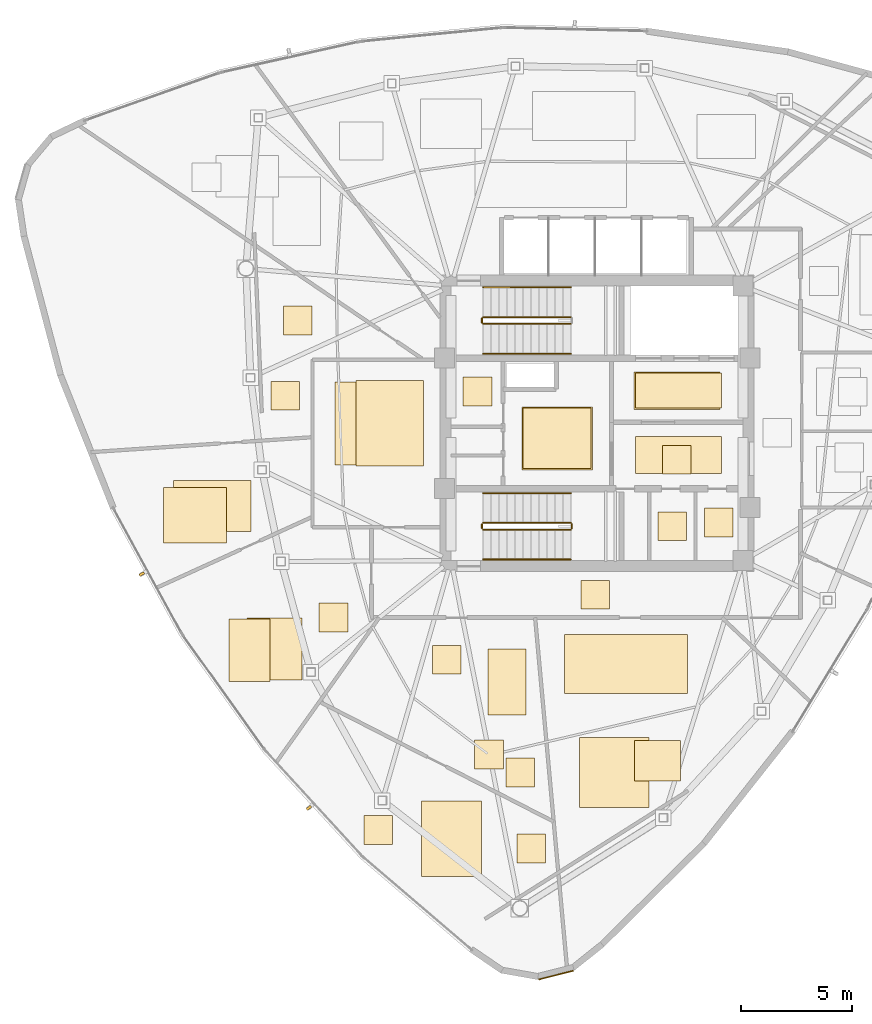
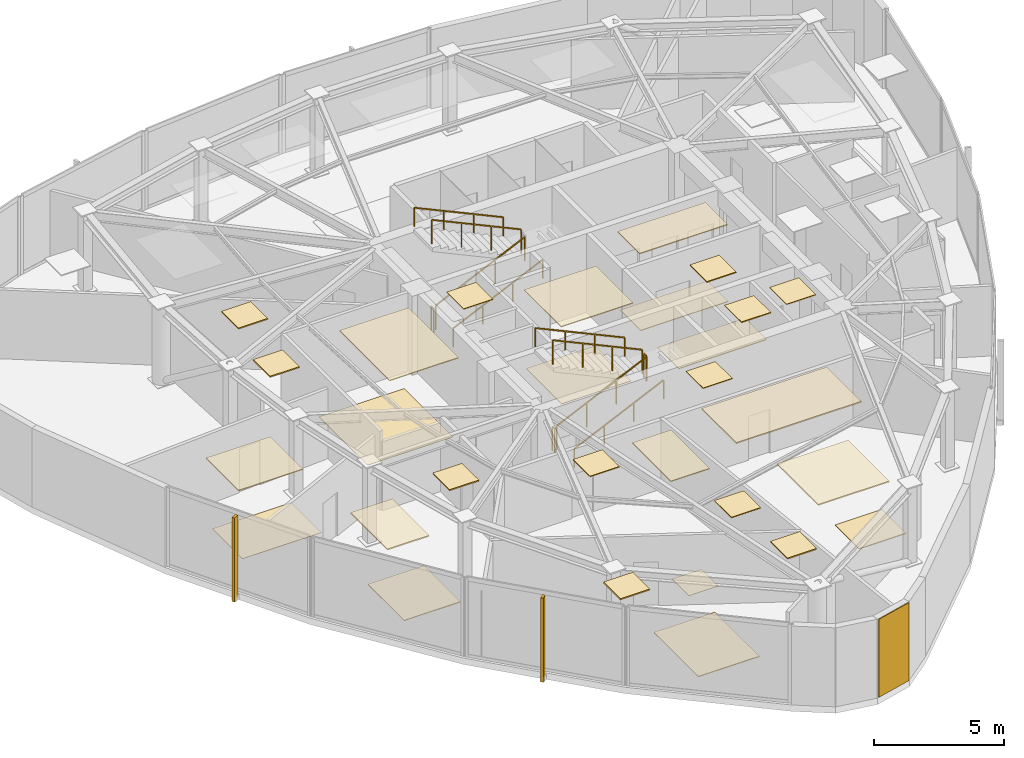
# One storey, part 11 of 13: 30 coverings, 11 railings, 2 shading devices.
"""IFC4 building model written with IfcOpenShell, lengths in metres."""

from ifc_helpers import new_model, si_unit, direction, frame, origin, origin_2d, place, context, subcontext, project, spatial, polyline, rectangle, outline, extrude, source, transform, mapped, material, layer, layer_set, type_object, type_shapes, element, save


model = new_model("IFC4")

# Units and contexts
model_context = context("Model", 3, precision=1e-05, world=origin(), true_north=direction((0.0, 1.0)))
body_context = subcontext(model_context, "Body", "Model", "MODEL_VIEW")
ifc_project = project(units=[si_unit("LENGTHUNIT", "METRE"), si_unit("AREAUNIT", "SQUARE_METRE"), si_unit("VOLUMEUNIT", "CUBIC_METRE"), si_unit("PLANEANGLEUNIT", "RADIAN"), si_unit("MASSUNIT", "GRAM", prefix="KILO")], contexts=[model_context])

# Site, building, storey
site_placement = place(None, origin())
site = spatial("IfcSite", under=ifc_project, at=site_placement, CompositionType="ELEMENT")
building_placement = place(site_placement, origin())
building = spatial("IfcBuilding", under=site, at=building_placement, Name="Tavelor Broadcast Tower", CompositionType="ELEMENT")
storey_placement = place(building_placement, frame((0.0, 0.0, 305.5)))
storey = spatial("IfcBuildingStorey", under=building, at=storey_placement, Name="L73", CompositionType="ELEMENT", Elevation=305.5)

# Coverings
ifc_material_1 = material(Name="Copper-Bronze Anodized Aluminium", Category="aluminium")
ifc_layer_1 = layer(ifc_material_1, 0.044921875)
ifc_layer_set_1 = layer_set([ifc_layer_1], Name="Copper-Bronze Anodized Aluminium")
covering_type_1 = type_object("IfcCoveringType", Name="Anodised Bronze Linear Slatted Concourse Ceiling 45 mm", PredefinedType="CEILING", material=ifc_layer_set_1)
covering_1_placement = place(storey_placement, frame((0.0, 0.0, 3.655029296875)))
element("IfcCovering", 1, at=covering_1_placement, inside=storey, type_object=covering_type_1, Name="L73 Suspended Acoustic Ceiling 2763", PredefinedType="CEILING", context=body_context, shape_type="SweptSolid", body=[
    extrude(outline(polyline([(51.659912109375, 45.6318359375), (55.55712890625, 45.6318359375), (55.55712890625, 47.328125), (51.659912109375, 47.328125), (51.659912109375, 45.6318359375)])), origin(), (0.0, 0.0, 1.0), 0.044921875),
])
covering_2_placement = place(storey_placement, frame((0.0, 0.0, 3.655029296875)))
element("IfcCovering", 2, at=covering_2_placement, inside=storey, type_object=covering_type_1, Name="L73 Suspended Acoustic Ceiling 2764", PredefinedType="CEILING", context=body_context, shape_type="SweptSolid", body=[
    extrude(outline(polyline([(52.95361328125, 42.705078125), (54.25341796875, 42.705078125), (54.25341796875, 44.0048828125), (52.95361328125, 44.0048828125), (52.95361328125, 42.705078125)])), origin(), (0.0, 0.0, 1.0), 0.044921875),
])
ifc_layer_2 = layer(ifc_material_1, 0.050048828125)
ifc_layer_set_2 = layer_set([ifc_layer_2], Name="Copper-Bronze Anodized Aluminium")
covering_type_2 = type_object("IfcCoveringType", Name="Champagne-Bronze Corner Pier Metal Cladding 50 mm", PredefinedType="CLADDING", material=ifc_layer_set_2)
covering_3_placement = place(storey_placement, frame((48.149169921875, 20.0703125, 0.02001953125), z_axis=(0.0, 0.0, 1.0), x_axis=(0.969230909707, 0.246153293029, 0.0)))
element("IfcCovering", 3, at=covering_3_placement, inside=storey, type_object=covering_type_2, Name="L73 Champagne-Bronze Corner Cladding 13", PredefinedType="CLADDING", context=body_context, shape_type="SweptSolid", body=[
    extrude(rectangle(XDim=1.60693359375, YDim=0.050048828125, at=origin_2d()), origin(), (0.0, 0.0, 1.0), 3.659912109375),
])

# Railings
ifc_material_2 = material(Name="Steel S355", Category="steel")
railing_type_1 = type_object("IfcRailingType", Name="Continuous Brushed Stainless Handrail 900 mm", PredefinedType="HANDRAIL", material=ifc_material_2)
railing_1_placement = place(storey_placement, frame((44.85009765625, 48.14990234375, 0.166748046875)))
element("IfcRailing", 4, at=railing_1_placement, inside=storey, type_object=railing_type_1, Name="L73 ST1 stair handrail 1", PredefinedType="HANDRAIL", context=body_context, shape_type="SweptSolid", body=[
    extrude(rectangle(XDim=0.048095703125, YDim=0.048095703125, at=origin_2d()), frame((0.0, 0.0, 0.8759765625), z_axis=(0.907472437036, 0.0, 0.420111623286), x_axis=(0.0, 1.0, 0.0)), (0.0, 0.0, 1.0), 4.36376953125),
    extrude(rectangle(XDim=0.0419921875, YDim=0.0419921875, at=origin_2d()), origin(), (0.0, 0.0, 1.0), 0.851806640625),
    extrude(rectangle(XDim=0.0419921875, YDim=0.0419921875, at=origin_2d()), frame((1.320068359375, 0.0, 0.611083984375)), (0.0, 0.0, 1.0), 0.851806640625),
    extrude(rectangle(XDim=0.0419921875, YDim=0.0419921875, at=origin_2d()), frame((2.639892578125, 0.0, 1.22216796875)), (0.0, 0.0, 1.0), 0.851806640625),
    extrude(rectangle(XDim=0.0419921875, YDim=0.0419921875, at=origin_2d()), frame((3.9599609375, 0.0, 1.833251953125)), (0.0, 0.0, 1.0), 0.851806640625),
])
railing_2_placement = place(storey_placement, frame((48.81005859375, 51.14990234375, 2.166748046875)))
element("IfcRailing", 5, at=railing_2_placement, inside=storey, type_object=railing_type_1, Name="L73 ST1 stair handrail 2", PredefinedType="HANDRAIL", context=body_context, shape_type="SweptSolid", body=[
    extrude(rectangle(XDim=0.048095703125, YDim=0.048095703125, at=origin_2d()), frame((0.0, 0.0, 0.8759765625), z_axis=(-0.907472437036, 0.0, 0.420111623286), x_axis=(0.0, -1.0, 0.0)), (0.0, 0.0, 1.0), 4.36376953125),
    extrude(rectangle(XDim=0.0419921875, YDim=0.0419921875, at=origin_2d()), origin(), (0.0, 0.0, 1.0), 0.851806640625),
    extrude(rectangle(XDim=0.0419921875, YDim=0.0419921875, at=origin_2d()), frame((-1.320068359375, 0.0, 0.611083984375)), (0.0, 0.0, 1.0), 0.851806640625),
    extrude(rectangle(XDim=0.0419921875, YDim=0.0419921875, at=origin_2d()), frame((-2.639892578125, 0.0, 1.22216796875)), (0.0, 0.0, 1.0), 0.851806640625),
    extrude(rectangle(XDim=0.0419921875, YDim=0.0419921875, at=origin_2d()), frame((-3.9599609375, 0.0, 1.833251953125)), (0.0, 0.0, 1.0), 0.851806640625),
])
railing_3_placement = place(storey_placement, frame((44.85009765625, 38.85009765625, 0.166748046875)))
element("IfcRailing", 6, at=railing_3_placement, inside=storey, type_object=railing_type_1, Name="L73 ST2 stair handrail 1", PredefinedType="HANDRAIL", context=body_context, shape_type="SweptSolid", body=[
    extrude(rectangle(XDim=0.048095703125, YDim=0.048095703125, at=origin_2d()), frame((0.0, 0.0, 0.8759765625), z_axis=(0.907472437036, 0.0, 0.420111623286), x_axis=(0.0, 1.0, 0.0)), (0.0, 0.0, 1.0), 4.36376953125),
    extrude(rectangle(XDim=0.0419921875, YDim=0.0419921875, at=origin_2d()), origin(), (0.0, 0.0, 1.0), 0.851806640625),
    extrude(rectangle(XDim=0.0419921875, YDim=0.0419921875, at=origin_2d()), frame((1.320068359375, 0.0, 0.611083984375)), (0.0, 0.0, 1.0), 0.851806640625),
    extrude(rectangle(XDim=0.0419921875, YDim=0.0419921875, at=origin_2d()), frame((2.639892578125, 0.0, 1.22216796875)), (0.0, 0.0, 1.0), 0.851806640625),
    extrude(rectangle(XDim=0.0419921875, YDim=0.0419921875, at=origin_2d()), frame((3.9599609375, 0.0, 1.833251953125)), (0.0, 0.0, 1.0), 0.851806640625),
])
railing_4_placement = place(storey_placement, frame((48.81005859375, 41.85009765625, 2.166748046875)))
element("IfcRailing", 7, at=railing_4_placement, inside=storey, type_object=railing_type_1, Name="L73 ST2 stair handrail 2", PredefinedType="HANDRAIL", context=body_context, shape_type="SweptSolid", body=[
    extrude(rectangle(XDim=0.048095703125, YDim=0.048095703125, at=origin_2d()), frame((0.0, 0.0, 0.8759765625), z_axis=(-0.907472437036, 0.0, 0.420111623286), x_axis=(0.0, -1.0, 0.0)), (0.0, 0.0, 1.0), 4.36376953125),
    extrude(rectangle(XDim=0.0419921875, YDim=0.0419921875, at=origin_2d()), origin(), (0.0, 0.0, 1.0), 0.851806640625),
    extrude(rectangle(XDim=0.0419921875, YDim=0.0419921875, at=origin_2d()), frame((-1.320068359375, 0.0, 0.611083984375)), (0.0, 0.0, 1.0), 0.851806640625),
    extrude(rectangle(XDim=0.0419921875, YDim=0.0419921875, at=origin_2d()), frame((-2.639892578125, 0.0, 1.22216796875)), (0.0, 0.0, 1.0), 0.851806640625),
    extrude(rectangle(XDim=0.0419921875, YDim=0.0419921875, at=origin_2d()), frame((-3.9599609375, 0.0, 1.833251953125)), (0.0, 0.0, 1.0), 0.851806640625),
])

# Coverings
ifc_material_3 = material(Name="Architectural Anodized Aluminium", Category="aluminium")
ifc_layer_3 = layer(ifc_material_3, 0.034912109375)
ifc_layer_set_3 = layer_set([ifc_layer_3], Name="Architectural Anodized Aluminium")
covering_type_3 = type_object("IfcCoveringType", Name="Demountable Metal Tile Corridor Ceiling 35 mm", PredefinedType="CEILING", material=ifc_layer_set_3)
covering_4_placement = place(storey_placement, frame((0.0, 0.0, 3.6650390625)))
element("IfcCovering", 8, at=covering_4_placement, inside=storey, type_object=covering_type_3, Name="L73 Suspended Acoustic Ceiling 2770", PredefinedType="CEILING", context=body_context, shape_type="SweptSolid", body=[
    extrude(outline(polyline([(49.261474609375, 36.610107421875), (50.5615234375, 36.610107421875), (50.5615234375, 37.909912109375), (49.261474609375, 37.909912109375), (49.261474609375, 36.610107421875)])), origin(), (0.0, 0.0, 1.0), 0.034912109375),
])
ifc_material_4 = material(Name="Acoustic Nylon Carpet Tile")
ifc_layer_4 = layer(ifc_material_4, 0.02001953125)
ifc_layer_set_4 = layer_set([ifc_layer_4], Name="Acoustic Nylon Carpet Tile")
covering_type_4 = type_object("IfcCoveringType", Name="Heavy-Duty Acoustic Broadcast Carpet Tile 20 mm", PredefinedType="FLOORING", material=ifc_layer_set_4)
covering_5_placement = place(storey_placement, origin())
element("IfcCovering", 9, at=covering_5_placement, inside=storey, type_object=covering_type_4, Name="L73 Broadcast Floor Finish 1086", PredefinedType="FLOORING", context=body_context, shape_type="SweptSolid", body=[
    extrude(outline(polyline([(46.6591796875, 42.953369140625), (49.730712890625, 42.953369140625), (49.730712890625, 45.6865234375), (46.6591796875, 45.6865234375), (46.6591796875, 42.953369140625)])), origin(), (0.0, 0.0, 1.0), 0.02001953125),
])
covering_6_placement = place(storey_placement, origin())
element("IfcCovering", 10, at=covering_6_placement, inside=storey, type_object=covering_type_4, Name="L73 Broadcast Floor Finish 1088", PredefinedType="FLOORING", context=body_context, shape_type="SweptSolid", body=[
    extrude(outline(polyline([(38.15771484375, 43.12890625), (41.942138671875, 43.12890625), (41.942138671875, 46.87060546875), (38.15771484375, 46.87060546875), (38.15771484375, 43.12890625)])), origin(), (0.0, 0.0, 1.0), 0.02001953125),
])
covering_7_placement = place(storey_placement, origin())
element("IfcCovering", 11, at=covering_7_placement, inside=storey, type_object=covering_type_4, Name="L73 Broadcast Floor Finish 1094", PredefinedType="FLOORING", context=body_context, shape_type="SweptSolid", body=[
    extrude(outline(polyline([(30.86328125, 40.106689453125), (34.362060546875, 40.106689453125), (34.362060546875, 42.42919921875), (30.86328125, 42.42919921875), (30.86328125, 40.106689453125)])), origin(), (0.0, 0.0, 1.0), 0.02001953125),
])
covering_8_placement = place(storey_placement, origin())
element("IfcCovering", 12, at=covering_8_placement, inside=storey, type_object=covering_type_4, Name="L73 Broadcast Floor Finish 1098", PredefinedType="FLOORING", context=body_context, shape_type="SweptSolid", body=[
    extrude(outline(polyline([(44.47021484375, 29.393310546875), (45.770263671875, 29.393310546875), (45.770263671875, 30.693359375), (44.47021484375, 30.693359375), (44.47021484375, 29.393310546875)])), origin(), (0.0, 0.0, 1.0), 0.02001953125),
])
ifc_material_5 = material(Name="Honed Natural Limestone Tile", Category="masonry")
ifc_layer_5 = layer(ifc_material_5, 0.030029296875)
ifc_layer_set_5 = layer_set([ifc_layer_5], Name="Honed Natural Limestone Tile")
covering_type_5 = type_object("IfcCoveringType", Name="Honed Jerusalem Limestone Concourse Flooring 30 mm", PredefinedType="FLOORING", material=ifc_layer_set_5)
covering_9_placement = place(storey_placement, origin())
element("IfcCovering", 13, at=covering_9_placement, inside=storey, type_object=covering_type_5, Name="L73 Broadcast Floor Finish 1084", PredefinedType="FLOORING", context=body_context, shape_type="SweptSolid", body=[
    extrude(outline(polyline([(51.7373046875, 45.689453125), (55.62255859375, 45.689453125), (55.62255859375, 47.2705078125), (51.7373046875, 47.2705078125), (51.7373046875, 45.689453125)])), origin(), (0.0, 0.0, 1.0), 0.030029296875),
])
covering_10_placement = place(storey_placement, origin())
element("IfcCovering", 14, at=covering_10_placement, inside=storey, type_object=covering_type_5, Name="L73 Broadcast Floor Finish 1085", PredefinedType="FLOORING", context=body_context, shape_type="SweptSolid", body=[
    extrude(outline(polyline([(51.728759765625, 42.743408203125), (55.62109375, 42.743408203125), (55.62109375, 44.396484375), (51.728759765625, 44.396484375), (51.728759765625, 42.743408203125)])), origin(), (0.0, 0.0, 1.0), 0.030029296875),
])
ifc_material_6 = material(Name="Acoustic Hardwood Studio Flooring", Category="wood")
ifc_layer_6 = layer(ifc_material_6, 0.034912109375)
ifc_layer_set_6 = layer_set([ifc_layer_6], Name="Acoustic Hardwood Studio Flooring")
covering_type_6 = type_object("IfcCoveringType", Name="Isolated Studio Acoustic Elastomeric Floor Finish 35 mm", PredefinedType="FLOORING", material=ifc_layer_set_6)
covering_11_placement = place(storey_placement, origin())
element("IfcCovering", 15, at=covering_11_placement, inside=storey, type_object=covering_type_6, Name="L73 Broadcast Floor Finish 1091", PredefinedType="FLOORING", context=body_context, shape_type="SweptSolid", body=[
    extrude(outline(polyline([(51.693115234375, 28.8330078125), (53.765869140625, 28.8330078125), (53.765869140625, 30.67919921875), (51.693115234375, 30.67919921875), (51.693115234375, 28.8330078125)])), origin(), (0.0, 0.0, 1.0), 0.034912109375),
])
covering_12_placement = place(storey_placement, origin())
element("IfcCovering", 16, at=covering_12_placement, inside=storey, type_object=covering_type_6, Name="L73 Broadcast Floor Finish 1092", PredefinedType="FLOORING", context=body_context, shape_type="SweptSolid", body=[
    extrude(outline(polyline([(42.073974609375, 24.51513671875), (44.774169921875, 24.51513671875), (44.774169921875, 27.933349609375), (42.073974609375, 27.933349609375), (42.073974609375, 24.51513671875)])), origin(), (0.0, 0.0, 1.0), 0.034912109375),
])
covering_13_placement = place(storey_placement, origin())
element("IfcCovering", 17, at=covering_13_placement, inside=storey, type_object=covering_type_6, Name="L73 Broadcast Floor Finish 1093", PredefinedType="FLOORING", context=body_context, shape_type="SweptSolid", body=[
    extrude(outline(polyline([(34.169677734375, 33.415283203125), (36.665771484375, 33.415283203125), (36.665771484375, 36.20947265625), (34.169677734375, 36.20947265625), (34.169677734375, 33.415283203125)])), origin(), (0.0, 0.0, 1.0), 0.034912109375),
])
ifc_material_7 = material(Name="Acoustic Perforated Timber Baffle", Category="wood")
ifc_layer_7 = layer(ifc_material_7, 0.054931640625)
ifc_layer_set_7 = layer_set([ifc_layer_7], Name="Acoustic Perforated Timber Baffle")
covering_type_7 = type_object("IfcCoveringType", Name="Micro-Perforated Acoustic Baffle Studio Ceiling 55 mm", PredefinedType="CEILING", material=ifc_layer_set_7)
covering_14_placement = place(storey_placement, frame((0.0, 0.0, 3.64501953125)))
element("IfcCovering", 18, at=covering_14_placement, inside=storey, type_object=covering_type_7, Name="L73 Suspended Acoustic Ceiling 2774", PredefinedType="CEILING", context=body_context, shape_type="SweptSolid", body=[
    extrude(outline(polyline([(49.193115234375, 27.646728515625), (52.347900390625, 27.646728515625), (52.347900390625, 30.807373046875), (49.193115234375, 30.807373046875), (49.193115234375, 27.646728515625)])), origin(), (0.0, 0.0, 1.0), 0.054931640625),
])
covering_15_placement = place(storey_placement, frame((0.0, 0.0, 3.64501953125)))
element("IfcCovering", 19, at=covering_15_placement, inside=storey, type_object=covering_type_7, Name="L73 Suspended Acoustic Ceiling 2775", PredefinedType="CEILING", context=body_context, shape_type="SweptSolid", body=[
    extrude(outline(polyline([(48.537353515625, 32.802978515625), (54.078857421875, 32.802978515625), (54.078857421875, 35.45703125), (48.537353515625, 35.45703125), (48.537353515625, 32.802978515625)])), origin(), (0.0, 0.0, 1.0), 0.054931640625),
])
covering_16_placement = place(storey_placement, frame((0.0, 0.0, 3.64501953125)))
element("IfcCovering", 20, at=covering_16_placement, inside=storey, type_object=covering_type_7, Name="L73 Suspended Acoustic Ceiling 2776", PredefinedType="CEILING", context=body_context, shape_type="SweptSolid", body=[
    extrude(outline(polyline([(39.462158203125, 25.9794921875), (40.76220703125, 25.9794921875), (40.76220703125, 27.279541015625), (39.462158203125, 27.279541015625), (39.462158203125, 25.9794921875)])), origin(), (0.0, 0.0, 1.0), 0.054931640625),
])
covering_17_placement = place(storey_placement, frame((0.0, 0.0, 3.64501953125)))
element("IfcCovering", 21, at=covering_17_placement, inside=storey, type_object=covering_type_7, Name="L73 Suspended Acoustic Ceiling 2777", PredefinedType="CEILING", context=body_context, shape_type="SweptSolid", body=[
    extrude(outline(polyline([(46.37451171875, 25.135498046875), (47.674560546875, 25.135498046875), (47.674560546875, 26.435546875), (46.37451171875, 26.435546875), (46.37451171875, 25.135498046875)])), origin(), (0.0, 0.0, 1.0), 0.054931640625),
])
covering_18_placement = place(storey_placement, frame((0.0, 0.0, 3.64501953125)))
element("IfcCovering", 22, at=covering_18_placement, inside=storey, type_object=covering_type_7, Name="L73 Suspended Acoustic Ceiling 2778", PredefinedType="CEILING", context=body_context, shape_type="SweptSolid", body=[
    extrude(outline(polyline([(33.376708984375, 33.329345703125), (35.229736328125, 33.329345703125), (35.229736328125, 36.158447265625), (33.376708984375, 36.158447265625), (33.376708984375, 33.329345703125)])), origin(), (0.0, 0.0, 1.0), 0.054931640625),
])
covering_19_placement = place(storey_placement, frame((0.0, 0.0, 3.64501953125)))
element("IfcCovering", 23, at=covering_19_placement, inside=storey, type_object=covering_type_7, Name="L73 Suspended Acoustic Ceiling 2779", PredefinedType="CEILING", context=body_context, shape_type="SweptSolid", body=[
    extrude(outline(polyline([(37.435546875, 35.577392578125), (38.735595703125, 35.577392578125), (38.735595703125, 36.877197265625), (37.435546875, 36.877197265625), (37.435546875, 35.577392578125)])), origin(), (0.0, 0.0, 1.0), 0.054931640625),
])
covering_20_placement = place(storey_placement, frame((0.0, 0.0, 3.64501953125)))
element("IfcCovering", 24, at=covering_20_placement, inside=storey, type_object=covering_type_7, Name="L73 Suspended Acoustic Ceiling 2781", PredefinedType="CEILING", context=body_context, shape_type="SweptSolid", body=[
    extrude(outline(polyline([(35.8232421875, 49.002197265625), (37.123291015625, 49.002197265625), (37.123291015625, 50.30224609375), (35.8232421875, 50.30224609375), (35.8232421875, 49.002197265625)])), origin(), (0.0, 0.0, 1.0), 0.054931640625),
])
covering_21_placement = place(storey_placement, frame((0.0, 0.0, 3.64501953125)))
element("IfcCovering", 25, at=covering_21_placement, inside=storey, type_object=covering_type_7, Name="L73 Suspended Acoustic Ceiling 2782", PredefinedType="CEILING", context=body_context, shape_type="SweptSolid", body=[
    extrude(outline(polyline([(35.258056640625, 45.60009765625), (36.55810546875, 45.60009765625), (36.55810546875, 46.900146484375), (35.258056640625, 46.900146484375), (35.258056640625, 45.60009765625)])), origin(), (0.0, 0.0, 1.0), 0.054931640625),
])
ifc_layer_8 = layer(ifc_material_3, 0.030029296875)
ifc_layer_set_8 = layer_set([ifc_layer_8], Name="Architectural Anodized Aluminium")
covering_type_8 = type_object("IfcCoveringType", Name="Moisture-Resistant Washroom Ceiling 30 mm", PredefinedType="CEILING", material=ifc_layer_set_8)
covering_22_placement = place(storey_placement, frame((0.0, 0.0, 3.669921875)))
element("IfcCovering", 26, at=covering_22_placement, inside=storey, type_object=covering_type_8, Name="L73 Suspended Acoustic Ceiling 2767", PredefinedType="CEILING", context=body_context, shape_type="SweptSolid", body=[
    extrude(outline(polyline([(54.843505859375, 39.866455078125), (56.1435546875, 39.866455078125), (56.1435546875, 41.16650390625), (54.843505859375, 41.16650390625), (54.843505859375, 39.866455078125)])), origin(), (0.0, 0.0, 1.0), 0.030029296875),
])
covering_23_placement = place(storey_placement, frame((0.0, 0.0, 3.669921875)))
element("IfcCovering", 27, at=covering_23_placement, inside=storey, type_object=covering_type_8, Name="L73 Suspended Acoustic Ceiling 2768", PredefinedType="CEILING", context=body_context, shape_type="SweptSolid", body=[
    extrude(outline(polyline([(43.951416015625, 45.794921875), (45.25146484375, 45.794921875), (45.25146484375, 47.094970703125), (43.951416015625, 47.094970703125), (43.951416015625, 45.794921875)])), origin(), (0.0, 0.0, 1.0), 0.030029296875),
])

# Railings
railing_type_2 = type_object("IfcRailingType", Name="Stairwell Steel Safety Guardrail 1150 mm", PredefinedType="GUARDRAIL", material=ifc_material_2)
railing_5_placement = place(storey_placement, frame((44.85009765625, 49.5, 0.166748046875)))
element("IfcRailing", 28, at=railing_5_placement, inside=storey, type_object=railing_type_2, Name="L73 ST1 stair guard 1", PredefinedType="GUARDRAIL", context=body_context, shape_type="SweptSolid", body=[
    extrude(rectangle(XDim=0.048095703125, YDim=0.048095703125, at=origin_2d()), frame((0.0, 0.0, 1.1259765625), z_axis=(0.907472437036, 0.0, 0.420111623286), x_axis=(0.0, 1.0, 0.0)), (0.0, 0.0, 1.0), 4.36376953125),
    extrude(rectangle(XDim=0.0419921875, YDim=0.0419921875, at=origin_2d()), origin(), (0.0, 0.0, 1.0), 1.101806640625),
    extrude(rectangle(XDim=0.0419921875, YDim=0.0419921875, at=origin_2d()), frame((1.320068359375, 0.0, 0.611083984375)), (0.0, 0.0, 1.0), 1.101806640625),
    extrude(rectangle(XDim=0.0419921875, YDim=0.0419921875, at=origin_2d()), frame((2.639892578125, 0.0, 1.22216796875)), (0.0, 0.0, 1.0), 1.101806640625),
    extrude(rectangle(XDim=0.0419921875, YDim=0.0419921875, at=origin_2d()), frame((3.9599609375, 0.0, 1.833251953125)), (0.0, 0.0, 1.0), 1.101806640625),
])
railing_6_placement = place(storey_placement, frame((48.81005859375, 49.800048828125, 2.166748046875)))
element("IfcRailing", 29, at=railing_6_placement, inside=storey, type_object=railing_type_2, Name="L73 ST1 stair guard 3", PredefinedType="GUARDRAIL", context=body_context, shape_type="SweptSolid", body=[
    extrude(rectangle(XDim=0.048095703125, YDim=0.048095703125, at=origin_2d()), frame((0.0, 0.0, 1.1259765625), z_axis=(-0.907472437036, 0.0, 0.420111623286), x_axis=(0.0, -1.0, 0.0)), (0.0, 0.0, 1.0), 4.36376953125),
    extrude(rectangle(XDim=0.0419921875, YDim=0.0419921875, at=origin_2d()), origin(), (0.0, 0.0, 1.0), 1.101806640625),
    extrude(rectangle(XDim=0.0419921875, YDim=0.0419921875, at=origin_2d()), frame((-1.320068359375, 0.0, 0.611083984375)), (0.0, 0.0, 1.0), 1.101806640625),
    extrude(rectangle(XDim=0.0419921875, YDim=0.0419921875, at=origin_2d()), frame((-2.639892578125, 0.0, 1.22216796875)), (0.0, 0.0, 1.0), 1.101806640625),
    extrude(rectangle(XDim=0.0419921875, YDim=0.0419921875, at=origin_2d()), frame((-3.9599609375, 0.0, 1.833251953125)), (0.0, 0.0, 1.0), 1.101806640625),
])
railing_7_placement = place(storey_placement, frame((44.800048828125, 49.550048828125, 0.0)))
element("IfcRailing", 30, at=railing_7_placement, inside=storey, type_object=railing_type_2, Name="L73 ST1 stair guard 4", PredefinedType="GUARDRAIL", context=body_context, shape_type="SweptSolid", body=[
    extrude(rectangle(XDim=0.048095703125, YDim=0.048095703125, at=origin_2d()), frame((0.0, 0.0, 1.1259765625), z_axis=(0.0, 1.0, 0.0), x_axis=(-1.0, 0.0, 0.0)), (0.0, 0.0, 1.0), 0.199951171875),
    extrude(rectangle(XDim=0.0419921875, YDim=0.0419921875, at=origin_2d()), origin(), (0.0, 0.0, 1.0), 1.101806640625),
    extrude(rectangle(XDim=0.0419921875, YDim=0.0419921875, at=origin_2d()), frame((0.0, 0.199951171875, 0.0)), (0.0, 0.0, 1.0), 1.101806640625),
])
railing_8_placement = place(storey_placement, frame((44.85009765625, 40.199951171875, 0.166748046875)))
element("IfcRailing", 31, at=railing_8_placement, inside=storey, type_object=railing_type_2, Name="L73 ST2 stair guard 1", PredefinedType="GUARDRAIL", context=body_context, shape_type="SweptSolid", body=[
    extrude(rectangle(XDim=0.048095703125, YDim=0.048095703125, at=origin_2d()), frame((0.0, 0.0, 1.1259765625), z_axis=(0.907472437036, 0.0, 0.420111623286), x_axis=(0.0, 1.0, 0.0)), (0.0, 0.0, 1.0), 4.36376953125),
    extrude(rectangle(XDim=0.0419921875, YDim=0.0419921875, at=origin_2d()), origin(), (0.0, 0.0, 1.0), 1.101806640625),
    extrude(rectangle(XDim=0.0419921875, YDim=0.0419921875, at=origin_2d()), frame((1.320068359375, 0.0, 0.611083984375)), (0.0, 0.0, 1.0), 1.101806640625),
    extrude(rectangle(XDim=0.0419921875, YDim=0.0419921875, at=origin_2d()), frame((2.639892578125, 0.0, 1.22216796875)), (0.0, 0.0, 1.0), 1.101806640625),
    extrude(rectangle(XDim=0.0419921875, YDim=0.0419921875, at=origin_2d()), frame((3.9599609375, 0.0, 1.833251953125)), (0.0, 0.0, 1.0), 1.101806640625),
])
railing_9_placement = place(storey_placement, frame((48.860107421875, 40.25, 2.0)))
element("IfcRailing", 32, at=railing_9_placement, inside=storey, type_object=railing_type_2, Name="L73 ST2 stair guard 2", PredefinedType="GUARDRAIL", context=body_context, shape_type="SweptSolid", body=[
    extrude(rectangle(XDim=0.048095703125, YDim=0.048095703125, at=origin_2d()), frame((0.0, 0.0, 1.1259765625), z_axis=(0.0, 1.0, 0.0), x_axis=(-1.0, 0.0, 0.0)), (0.0, 0.0, 1.0), 0.199951171875),
    extrude(rectangle(XDim=0.0419921875, YDim=0.0419921875, at=origin_2d()), origin(), (0.0, 0.0, 1.0), 1.101806640625),
    extrude(rectangle(XDim=0.0419921875, YDim=0.0419921875, at=origin_2d()), frame((0.0, 0.199951171875, 0.0)), (0.0, 0.0, 1.0), 1.101806640625),
])
railing_10_placement = place(storey_placement, frame((48.81005859375, 40.5, 2.166748046875)))
element("IfcRailing", 33, at=railing_10_placement, inside=storey, type_object=railing_type_2, Name="L73 ST2 stair guard 3", PredefinedType="GUARDRAIL", context=body_context, shape_type="SweptSolid", body=[
    extrude(rectangle(XDim=0.048095703125, YDim=0.048095703125, at=origin_2d()), frame((0.0, 0.0, 1.1259765625), z_axis=(-0.907472437036, 0.0, 0.420111623286), x_axis=(0.0, -1.0, 0.0)), (0.0, 0.0, 1.0), 4.36376953125),
    extrude(rectangle(XDim=0.0419921875, YDim=0.0419921875, at=origin_2d()), origin(), (0.0, 0.0, 1.0), 1.101806640625),
    extrude(rectangle(XDim=0.0419921875, YDim=0.0419921875, at=origin_2d()), frame((-1.320068359375, 0.0, 0.611083984375)), (0.0, 0.0, 1.0), 1.101806640625),
    extrude(rectangle(XDim=0.0419921875, YDim=0.0419921875, at=origin_2d()), frame((-2.639892578125, 0.0, 1.22216796875)), (0.0, 0.0, 1.0), 1.101806640625),
    extrude(rectangle(XDim=0.0419921875, YDim=0.0419921875, at=origin_2d()), frame((-3.9599609375, 0.0, 1.833251953125)), (0.0, 0.0, 1.0), 1.101806640625),
])
railing_11_placement = place(storey_placement, frame((44.800048828125, 40.25, 0.0)))
element("IfcRailing", 34, at=railing_11_placement, inside=storey, type_object=railing_type_2, Name="L73 ST2 stair guard 4", PredefinedType="GUARDRAIL", context=body_context, shape_type="SweptSolid", body=[
    extrude(rectangle(XDim=0.048095703125, YDim=0.048095703125, at=origin_2d()), frame((0.0, 0.0, 1.1259765625), z_axis=(0.0, 1.0, 0.0), x_axis=(-1.0, 0.0, 0.0)), (0.0, 0.0, 1.0), 0.199951171875),
    extrude(rectangle(XDim=0.0419921875, YDim=0.0419921875, at=origin_2d()), origin(), (0.0, 0.0, 1.0), 1.101806640625),
    extrude(rectangle(XDim=0.0419921875, YDim=0.0419921875, at=origin_2d()), frame((0.0, 0.199951171875, 0.0)), (0.0, 0.0, 1.0), 1.101806640625),
])

# Coverings
ifc_material_8 = material(Name="Acoustic Mineral Fibre Tile")
ifc_layer_9 = layer(ifc_material_8, 0.0400390625)
ifc_layer_set_9 = layer_set([ifc_layer_9], Name="Acoustic Mineral Fibre Tile")
covering_type_9 = type_object("IfcCoveringType", Name="Suspended Acoustic Mineral-Fibre Office Ceiling 40 mm", PredefinedType="CEILING", material=ifc_layer_set_9)
covering_24_placement = place(storey_placement, frame((0.0, 0.0, 3.659912109375)))
element("IfcCovering", 35, at=covering_24_placement, inside=storey, type_object=covering_type_9, Name="L73 Suspended Acoustic Ceiling 2765", PredefinedType="CEILING", context=body_context, shape_type="SweptSolid", body=[
    extrude(outline(polyline([(46.6015625, 42.895751953125), (49.788330078125, 42.895751953125), (49.788330078125, 45.744140625), (46.6015625, 45.744140625), (46.6015625, 42.895751953125)])), origin(), (0.0, 0.0, 1.0), 0.0400390625),
])
covering_25_placement = place(storey_placement, frame((0.0, 0.0, 3.659912109375)))
element("IfcCovering", 36, at=covering_25_placement, inside=storey, type_object=covering_type_9, Name="L73 Suspended Acoustic Ceiling 2766", PredefinedType="CEILING", context=body_context, shape_type="SweptSolid", body=[
    extrude(outline(polyline([(52.75, 39.699951171875), (54.050048828125, 39.699951171875), (54.050048828125, 41.0), (52.75, 41.0), (52.75, 39.699951171875)])), origin(), (0.0, 0.0, 1.0), 0.0400390625),
])
covering_26_placement = place(storey_placement, frame((0.0, 0.0, 3.659912109375)))
element("IfcCovering", 37, at=covering_26_placement, inside=storey, type_object=covering_type_9, Name="L73 Suspended Acoustic Ceiling 2771", PredefinedType="CEILING", context=body_context, shape_type="SweptSolid", body=[
    extrude(outline(polyline([(39.10107421875, 43.0712890625), (42.16259765625, 43.0712890625), (42.16259765625, 46.927978515625), (39.10107421875, 46.927978515625), (39.10107421875, 43.0712890625)])), origin(), (0.0, 0.0, 1.0), 0.0400390625),
])
covering_27_placement = place(storey_placement, frame((0.0, 0.0, 3.659912109375)))
element("IfcCovering", 38, at=covering_27_placement, inside=storey, type_object=covering_type_9, Name="L73 Suspended Acoustic Ceiling 2780", PredefinedType="CEILING", context=body_context, shape_type="SweptSolid", body=[
    extrude(outline(polyline([(30.3984375, 39.5966796875), (33.24462890625, 39.5966796875), (33.24462890625, 42.103759765625), (30.3984375, 42.103759765625), (30.3984375, 39.5966796875)])), origin(), (0.0, 0.0, 1.0), 0.0400390625),
])
covering_28_placement = place(storey_placement, frame((0.0, 0.0, 3.659912109375)))
element("IfcCovering", 39, at=covering_28_placement, inside=storey, type_object=covering_type_9, Name="L73 Suspended Acoustic Ceiling 2792", PredefinedType="CEILING", context=body_context, shape_type="SweptSolid", body=[
    extrude(outline(polyline([(42.554443359375, 33.66650390625), (43.8544921875, 33.66650390625), (43.8544921875, 34.966552734375), (42.554443359375, 34.966552734375), (42.554443359375, 33.66650390625)])), origin(), (0.0, 0.0, 1.0), 0.0400390625),
])
covering_29_placement = place(storey_placement, frame((0.0, 0.0, 3.659912109375)))
element("IfcCovering", 40, at=covering_29_placement, inside=storey, type_object=covering_type_9, Name="L73 Suspended Acoustic Ceiling 2793", PredefinedType="CEILING", context=body_context, shape_type="SweptSolid", body=[
    extrude(outline(polyline([(45.077392578125, 31.829345703125), (46.793212890625, 31.829345703125), (46.793212890625, 34.80419921875), (45.077392578125, 34.80419921875), (45.077392578125, 31.829345703125)])), origin(), (0.0, 0.0, 1.0), 0.0400390625),
])
covering_30_placement = place(storey_placement, frame((0.0, 0.0, 3.659912109375)))
element("IfcCovering", 41, at=covering_30_placement, inside=storey, type_object=covering_type_9, Name="L73 Suspended Acoustic Ceiling 2794", PredefinedType="CEILING", context=body_context, shape_type="SweptSolid", body=[
    extrude(outline(polyline([(45.877197265625, 28.5751953125), (47.177001953125, 28.5751953125), (47.177001953125, 29.875244140625), (45.877197265625, 29.875244140625), (45.877197265625, 28.5751953125)])), origin(), (0.0, 0.0, 1.0), 0.0400390625),
])

# Shading devices
ifc_material_9 = material(Name="Kiln-Fired Glazed Terracotta", Category="masonry")
shading_device_type = type_object("IfcShadingDeviceType", Name="Extruded Terracotta Baguette Sun-Screen 110x240", PredefinedType="JALOUSIE", material=ifc_material_9)
shared_shape = source(origin(), body_context, "Body", "SweptSolid", [
    extrude(rectangle(XDim=0.110107421875, YDim=0.239990234375, at=origin_2d()), origin(), (0.0, 0.0, 1.0), 3.93994140625),
])
type_shapes(shading_device_type, [shared_shape])
for number, where, z_axis, x_axis, name in (
    (42, (29.424560546875, 38.190673828125, -0.260009765625), (0.0, 0.0, 1.0), (0.478998302645, -0.877815826961, 0.0), "L73 Terracotta Baguette Fin 709"),
    (43, (36.979248046875, 27.62890625, -0.260009765625), (0.0, 0.0, 1.0), (0.6759761525, -0.736923497556, 0.0), "L73 Terracotta Baguette Fin 710"),
):
    element("IfcShadingDevice", number, at=place(storey_placement, frame(where, z_axis=z_axis, x_axis=x_axis)), inside=storey, type_object=shading_device_type, Name=name, PredefinedType="JALOUSIE", context=body_context, shape_type="MappedRepresentation", body=[
        mapped(shared_shape, transform((0.0, 0.0, 0.0), scale=1.0)),
    ])

save(model, "model.ifc")
